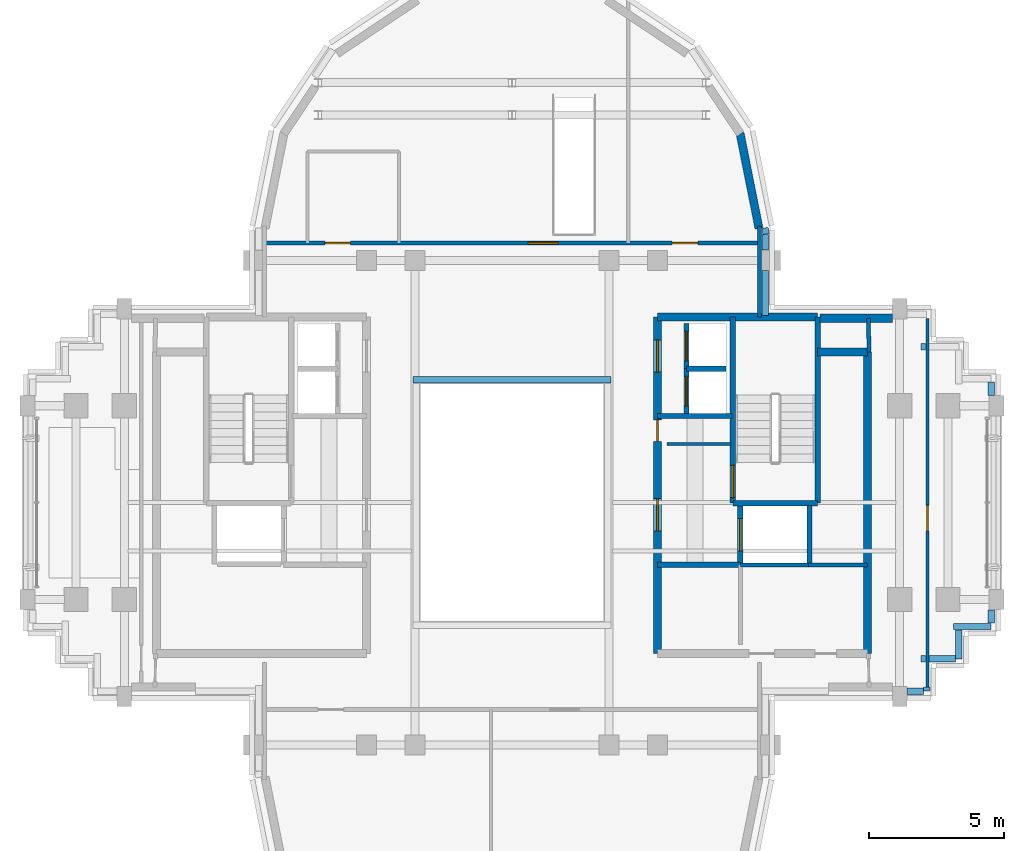
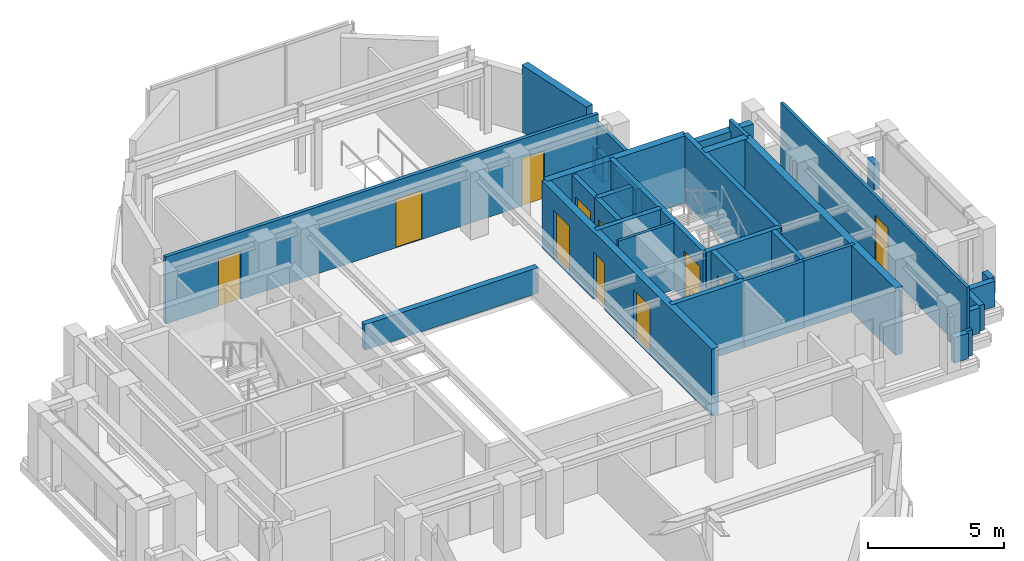
# One storey, part 9 of 12: 36 walls, 11 doors, 11 openings.
"""IFC4 building model written with IfcOpenShell, lengths in metres."""

from ifc_helpers import new_model, si_unit, direction, frame, frame_2d, origin, place, context, subcontext, project, spatial, rectangle, extrude, source, transform, mapped, material, layer, layer_set, type_object, element, fill, save


model = new_model("IFC4")

# Units and contexts
model_context = context("Model", 3, precision=1e-05, world=origin(), true_north=direction((0.0, 1.0)))
body_context = subcontext(model_context, "Body", "Model", "MODEL_VIEW")
ifc_project = project(units=[si_unit("LENGTHUNIT", "METRE"), si_unit("AREAUNIT", "SQUARE_METRE"), si_unit("VOLUMEUNIT", "CUBIC_METRE"), si_unit("PLANEANGLEUNIT", "RADIAN"), si_unit("MASSUNIT", "GRAM", prefix="KILO")], contexts=[model_context])

# Site, building, storey
site_placement = place(None, origin())
site = spatial("IfcSite", under=ifc_project, at=site_placement, CompositionType="ELEMENT")
building_placement = place(site_placement, origin())
building = spatial("IfcBuilding", under=site, at=building_placement, Name="Keilestroom Media Tower", CompositionType="ELEMENT")
storey_placement = place(building_placement, frame((0.0, 0.0, 233.199951171875)))
storey = spatial("IfcBuildingStorey", under=building, at=storey_placement, Name="L64", CompositionType="ELEMENT", Elevation=233.199951171875)

# Walls
ifc_material_1 = material(Name="Precast concrete C40/50", Category="concrete")
ifc_layer_1 = layer(ifc_material_1, 0.300048828125)
ifc_layer_set_1 = layer_set([ifc_layer_1], Name="Precast concrete C40/50")
wall_type_1 = type_object("IfcWallType", Name="Exterior-Masonry-Spandrel-Wall-300", PredefinedType="SOLIDWALL", material=ifc_layer_set_1)
wall_1_placement = place(storey_placement, frame((11.447998046875, 6.85009765625, 0.0), z_axis=(0.0, 0.0, 1.0), x_axis=(1.0, 0.0, 0.0)))
element("IfcWall", 1, at=wall_1_placement, inside=storey, type_object=wall_type_1, Name="L64 Flank Masonry Wall EWL-L64-NE-1", PredefinedType="SOLIDWALL", context=body_context, shape_type="SweptSolid", body=[
    extrude(rectangle(XDim=2.68505859375, YDim=0.300048828125, at=frame_2d((1.342529296875, 0.0))), origin(), (0.0, 0.0, 1.0), 2.570068359375),
])
wall_2_placement = place(storey_placement, frame((9.1748046875, 10.185302734375, 0.0), z_axis=(0.0, 0.0, 1.0), x_axis=(-0.195114232679, 0.980780523974, 0.0)))
element("IfcWall", 2, at=wall_2_placement, inside=storey, type_object=wall_type_1, Name="L64 Lobe Facet Precast Frame Wall 01", PredefinedType="SOLIDWALL", context=body_context, shape_type="SweptSolid", body=[
    extrude(rectangle(XDim=3.608642578125, YDim=0.300048828125, at=frame_2d((1.80419921875, 0.0))), origin(), (0.0, 0.0, 1.0), 3.010009765625),
])
ifc_material_2 = material(Name="Gypsum Plasterboard & Steel Stud", Category="steel")
ifc_layer_2 = layer(ifc_material_2, 0.1201171875)
ifc_layer_set_2 = layer_set([ifc_layer_2], Name="Gypsum Plasterboard & Steel Stud")
wall_type_2 = type_object("IfcWallType", Name="Interior-Partition-Wall-120", PredefinedType="PARTITIONING", material=ifc_layer_set_2)
wall_3_placement = place(storey_placement, frame((5.75, 2.179931640625, 0.0), z_axis=(0.0, 0.0, 1.0), x_axis=(1.0, 0.0, 0.0)))
element("IfcWall", 3, at=wall_3_placement, inside=storey, type_object=wall_type_2, Name="L64 Interior Wall WP-L64-CIE-S", PredefinedType="PARTITIONING", context=body_context, shape_type="SweptSolid", body=[
    extrude(rectangle(XDim=2.389892578125, YDim=0.1201171875, at=frame_2d((1.19482421875, 0.0))), origin(), (0.0, 0.0, 1.0), 3.010009765625),
])

# Wall, opening, door
wall_4_placement = place(storey_placement, frame((15.429931640625, -6.85009765625, 0.0), z_axis=(0.0, 0.0, 1.0), x_axis=(0.0, 1.0, 0.0)))
wall_4 = element("IfcWall", 4, at=wall_4_placement, inside=storey, type_object=wall_type_2, Name="L64 Interior Wall WP-L64-EA-V", PredefinedType="PARTITIONING", context=body_context, shape_type="SweptSolid", body=[
    extrude(rectangle(XDim=13.7001953125, YDim=0.1201171875, at=frame_2d((6.85009765625, 0.0))), origin(), (0.0, 0.0, 1.0), 3.010009765625),
])
opening_1_placement = place(wall_4_placement, frame((5.800048828125, 0.0, 0.0)))
opening_1 = element("IfcOpeningElement", 5, at=opening_1_placement, cuts=wall_4, Name="Opening DI-03", PredefinedType="OPENING", context=body_context, shape_type="SweptSolid", body=[
    extrude(rectangle(XDim=0.949951171875, YDim=2.14990234375, at=frame_2d((0.47509765625, 1.074951171875))), frame((0.0, 0.070068359375, 0.0), z_axis=(0.0, -1.0, 0.0), x_axis=(1.0, 0.0, 0.0)), (0.0, 0.0, 1.0), 0.14013671875),
])
ifc_material_3 = material(Name="Lacquered European Oak Leaf", Category="wood")
door_type_1 = type_object("IfcDoorType", Name="Interior-Room-And-Suite-Door-DI-03", OperationType="NOTDEFINED", PredefinedType="DOOR", material=ifc_material_3)
shared_shape_1 = source(origin(), body_context, "Body", "SweptSolid", [
    extrude(rectangle(XDim=0.949951171875, YDim=2.14990234375, at=frame_2d((0.47509765625, 1.074951171875))), frame((0.0, 0.02490234375, 0.0), z_axis=(0.0, -1.0, 0.0), x_axis=(1.0, 0.0, 0.0)), (0.0, 0.0, 1.0), 0.050048828125),
])
door_1_placement = place(opening_1_placement, origin())
door_1 = element("IfcDoor", 6, at=door_1_placement, inside=storey, type_object=door_type_1, Name="L64 Interior Door DI-L64-DEA-E", OperationType="SINGLE_SWING_RIGHT", OverallHeight=2.14990234375, OverallWidth=0.949951171875, PredefinedType="DOOR", context=body_context, shape_type="MappedRepresentation", body=[
    mapped(shared_shape_1, transform((0.0, 0.0, 0.0), x_axis=(1.0, 0.0, 0.0), y_axis=(0.0, 1.0, 0.0), z_axis=(0.0, 0.0, 1.0), scale=1.0)),
])
fill(opening_1, door_1)

# Walls
ifc_layer_3 = layer(ifc_material_2, 0.14990234375)
ifc_layer_set_3 = layer_set([ifc_layer_3], Name="Gypsum Plasterboard & Steel Stud")
wall_type_3 = type_object("IfcWallType", Name="Interior-Partition-Wall-150", PredefinedType="PARTITIONING", material=ifc_layer_set_3)
wall_5_placement = place(storey_placement, frame((11.02001953125, -2.320068359375, 0.0), z_axis=(0.0, 0.0, 1.0), x_axis=(1.0, 0.0, 0.0)))
element("IfcWall", 7, at=wall_5_placement, inside=storey, type_object=wall_type_3, Name="L64 Interior Wall WP-L64-RECLE-N", PredefinedType="PARTITIONING", context=body_context, shape_type="SweptSolid", body=[
    extrude(rectangle(XDim=2.179931640625, YDim=0.14990234375, at=frame_2d((1.08984375, 0.0))), origin(), (0.0, 0.0, 1.0), 3.010009765625),
])
wall_6_placement = place(storey_placement, frame((8.47998046875, -2.320068359375, 0.0), z_axis=(0.0, 0.0, 1.0), x_axis=(1.0, 0.0, 0.0)))
element("IfcWall", 8, at=wall_6_placement, inside=storey, type_object=wall_type_3, Name="L64 Interior Wall WP-L64-RECME-N", PredefinedType="PARTITIONING", context=body_context, shape_type="SweptSolid", body=[
    extrude(rectangle(XDim=2.56005859375, YDim=0.14990234375, at=frame_2d((1.280029296875, 0.0))), origin(), (0.0, 0.0, 1.0), 3.010009765625),
])

# Wall, openings, doors
wall_7_placement = place(storey_placement, frame((-9.199951171875, 9.639892578125, 0.0), z_axis=(0.0, 0.0, 1.0), x_axis=(1.0, 0.0, 0.0)))
wall_7 = element("IfcWall", 9, at=wall_7_placement, inside=storey, type_object=wall_type_3, Name="L64 Interior Wall WP-L64-NL-BASE", PredefinedType="PARTITIONING", context=body_context, shape_type="SweptSolid", body=[
    extrude(rectangle(XDim=18.39990234375, YDim=0.14990234375, at=frame_2d((9.199951171875, 0.0))), origin(), (0.0, 0.0, 1.0), 3.010009765625),
])
opening_2_placement = place(wall_7_placement, frame((2.25, 0.0, 0.0)))
opening_2 = element("IfcOpeningElement", 10, at=opening_2_placement, cuts=wall_7, Name="Opening DI-03", PredefinedType="OPENING", context=body_context, shape_type="SweptSolid", body=[
    extrude(rectangle(XDim=0.949951171875, YDim=2.14990234375, at=frame_2d((0.47509765625, 1.074951171875))), frame((0.0, 0.0849609375, 0.0), z_axis=(0.0, -1.0, 0.0), x_axis=(1.0, 0.0, 0.0)), (0.0, 0.0, 1.0), 0.169921875),
])
opening_3_placement = place(wall_7_placement, frame((9.800048828125, 0.0, 0.0)))
opening_3 = element("IfcOpeningElement", 11, at=opening_3_placement, cuts=wall_7, Name="Opening DI-04", PredefinedType="OPENING", context=body_context, shape_type="SweptSolid", body=[
    extrude(rectangle(XDim=1.10009765625, YDim=2.199951171875, at=frame_2d((0.550048828125, 1.10009765625))), frame((0.0, 0.0849609375, 0.0), z_axis=(0.0, -1.0, 0.0), x_axis=(1.0, 0.0, 0.0)), (0.0, 0.0, 1.0), 0.169921875),
])
opening_4_placement = place(wall_7_placement, frame((15.14990234375, 0.0, 0.0)))
opening_4 = element("IfcOpeningElement", 12, at=opening_4_placement, cuts=wall_7, Name="Opening DI-03", PredefinedType="OPENING", context=body_context, shape_type="SweptSolid", body=[
    extrude(rectangle(XDim=0.949951171875, YDim=2.14990234375, at=frame_2d((0.47509765625, 1.074951171875))), frame((0.0, 0.0849609375, 0.0), z_axis=(0.0, -1.0, 0.0), x_axis=(1.0, 0.0, 0.0)), (0.0, 0.0, 1.0), 0.169921875),
])
door_2_placement = place(opening_2_placement, origin())
door_2 = element("IfcDoor", 13, at=door_2_placement, inside=storey, type_object=door_type_1, Name="L64 Interior Door DI-L64-DNL-WC", OperationType="SINGLE_SWING_LEFT", OverallHeight=2.14990234375, OverallWidth=0.949951171875, PredefinedType="DOOR", context=body_context, shape_type="MappedRepresentation", body=[
    mapped(shared_shape_1, transform((0.0, 0.0, 0.0), x_axis=(1.0, 0.0, 0.0), y_axis=(0.0, 1.0, 0.0), z_axis=(0.0, 0.0, 1.0), scale=1.0)),
])
fill(opening_2, door_2)
door_3_placement = place(opening_4_placement, origin())
door_3 = element("IfcDoor", 14, at=door_3_placement, inside=storey, type_object=door_type_1, Name="L64 Interior Door DI-L64-DNL-B", OperationType="SINGLE_SWING_LEFT", OverallHeight=2.14990234375, OverallWidth=0.949951171875, PredefinedType="DOOR", context=body_context, shape_type="MappedRepresentation", body=[
    mapped(shared_shape_1, transform((0.0, 0.0, 0.0), x_axis=(1.0, 0.0, 0.0), y_axis=(0.0, 1.0, 0.0), z_axis=(0.0, 0.0, 1.0), scale=1.0)),
])
fill(opening_4, door_3)
ifc_material_4 = material(Name="Acoustic Glazed Aluminium Leaf", Category="aluminium")
door_type_2 = type_object("IfcDoorType", Name="Interior-Room-And-Suite-Door-DI-04", OperationType="NOTDEFINED", PredefinedType="DOOR", material=ifc_material_4)
shared_shape_2 = source(origin(), body_context, "Body", "SweptSolid", [
    extrude(rectangle(XDim=1.10009765625, YDim=2.199951171875, at=frame_2d((0.550048828125, 1.10009765625))), frame((0.0, 0.02490234375, 0.0), z_axis=(0.0, -1.0, 0.0), x_axis=(1.0, 0.0, 0.0)), (0.0, 0.0, 1.0), 0.050048828125),
])
door_4_placement = place(opening_3_placement, origin())
door_4 = element("IfcDoor", 15, at=door_4_placement, inside=storey, type_object=door_type_2, Name="L64 Interior Door DI-L64-DNL-A", OperationType="SINGLE_SWING_RIGHT", OverallHeight=2.199951171875, OverallWidth=1.10009765625, PredefinedType="DOOR", context=body_context, shape_type="MappedRepresentation", body=[
    mapped(shared_shape_2, transform((0.0, 0.0, 0.0), x_axis=(1.0, 0.0, 0.0), y_axis=(0.0, 1.0, 0.0), z_axis=(0.0, 0.0, 1.0), scale=1.0)),
])
fill(opening_3, door_4)

# Walls
wall_8_placement = place(storey_placement, frame((9.199951171875, 6.89990234375, 0.0), z_axis=(0.0, 0.0, 1.0), x_axis=(0.0, 1.0, 0.0)))
element("IfcWall", 16, at=wall_8_placement, inside=storey, type_object=wall_type_3, Name="L64 Interior Wall WP-L64-NL-CHKE", PredefinedType="PARTITIONING", context=body_context, shape_type="SweptSolid", body=[
    extrude(rectangle(XDim=3.380126953125, YDim=0.14990234375, at=frame_2d((1.68994140625, 0.0))), origin(), (0.0, 0.0, 1.0), 2.610107421875),
])
wall_9_placement = place(storey_placement, frame((13.260009765625, 5.60009765625, 0.0), z_axis=(0.0, 0.0, 1.0), x_axis=(-0.016013571389, 0.999871774545, 0.0)))
element("IfcWall", 17, at=wall_9_placement, inside=storey, type_object=wall_type_3, Name="L64 Interior Wall WP-L64-EA-ENTN", PredefinedType="PARTITIONING", context=body_context, shape_type="SweptSolid", body=[
    extrude(rectangle(XDim=1.250244140625, YDim=0.14990234375, at=frame_2d((0.625, 0.0))), origin(), (0.0, 0.0, 1.0), 3.010009765625),
])
ifc_material_5 = material(Name="Concrete C50/60", Category="concrete")
ifc_layer_4 = layer(ifc_material_5, 0.300048828125)
ifc_layer_set_4 = layer_set([ifc_layer_4], Name="Concrete C50/60")
wall_type_4 = type_object("IfcWallType", Name="Reinforced-Concrete-Core-Shear-Wall-300", PredefinedType="SHEAR", material=ifc_layer_set_4)
wall_10_placement = place(storey_placement, frame((13.199951171875, -5.60009765625, 0.0), z_axis=(0.0, 0.0, 1.0), x_axis=(0.0, 1.0, 0.0)))
element("IfcWall", 18, at=wall_10_placement, inside=storey, type_object=wall_type_4, Name="L64 Core Shear Wall WL-L64-CORE-E-OUT", PredefinedType="SHEAR", context=body_context, shape_type="SweptSolid", body=[
    extrude(rectangle(XDim=11.2001953125, YDim=0.300048828125, at=frame_2d((5.60009765625, 0.0))), origin(), (0.0, 0.0, 1.0), 3.010009765625),
])

# Wall, openings, doors
wall_11_placement = place(storey_placement, frame((5.39990234375, -5.60009765625, 0.0), z_axis=(0.0, 0.0, 1.0), x_axis=(0.0, 1.0, 0.0)))
wall_11 = element("IfcWall", 19, at=wall_11_placement, inside=storey, type_object=wall_type_4, Name="L64 Core Shear Wall WL-L64-CORE-E-IN", PredefinedType="SHEAR", context=body_context, shape_type="SweptSolid", body=[
    extrude(rectangle(XDim=12.5, YDim=0.300048828125, at=frame_2d((6.25, 0.0))), origin(), (0.0, 0.0, 1.0), 3.010009765625),
])
opening_5_placement = place(wall_11_placement, frame((4.550048828125, 0.0, 0.0)))
opening_5 = element("IfcOpeningElement", 20, at=opening_5_placement, cuts=wall_11, Name="Opening DI-02", PredefinedType="OPENING", context=body_context, shape_type="SweptSolid", body=[
    extrude(rectangle(XDim=1.199951171875, YDim=2.199951171875, at=frame_2d((0.60009765625, 1.10009765625))), frame((0.0, 0.16015625, 0.0), z_axis=(0.0, -1.0, 0.0), x_axis=(1.0, 0.0, 0.0)), (0.0, 0.0, 1.0), 0.320068359375),
])
opening_6_placement = place(wall_11_placement, frame((10.449951171875, 0.0, 0.0)))
opening_6 = element("IfcOpeningElement", 21, at=opening_6_placement, cuts=wall_11, Name="Opening DI-02", PredefinedType="OPENING", context=body_context, shape_type="SweptSolid", body=[
    extrude(rectangle(XDim=1.199951171875, YDim=2.199951171875, at=frame_2d((0.60009765625, 1.10009765625))), frame((0.0, 0.16015625, 0.0), z_axis=(0.0, -1.0, 0.0), x_axis=(1.0, 0.0, 0.0)), (0.0, 0.0, 1.0), 0.320068359375),
])
opening_7_placement = place(wall_11_placement, frame((7.8798828125, 0.0, 0.0)))
opening_7 = element("IfcOpeningElement", 22, at=opening_7_placement, cuts=wall_11, Name="Opening DI-06", PredefinedType="OPENING", context=body_context, shape_type="SweptSolid", body=[
    extrude(rectangle(XDim=0.800048828125, YDim=2.10009765625, at=frame_2d((0.39990234375, 1.050048828125))), frame((0.0, 0.16015625, 0.0), z_axis=(0.0, -1.0, 0.0), x_axis=(1.0, 0.0, 0.0)), (0.0, 0.0, 1.0), 0.320068359375),
])
ifc_material_6 = material(Name="Powder-Coated Steel Fire Leaf", Category="steel")
door_type_3 = type_object("IfcDoorType", Name="Interior-Compartment-Fire-Door-DI-02", OperationType="NOTDEFINED", PredefinedType="DOOR", material=ifc_material_6)
shared_shape_3 = source(origin(), body_context, "Body", "SweptSolid", [
    extrude(rectangle(XDim=1.199951171875, YDim=2.199951171875, at=frame_2d((0.60009765625, 1.10009765625))), frame((0.0, 0.02490234375, 0.0), z_axis=(0.0, -1.0, 0.0), x_axis=(1.0, 0.0, 0.0)), (0.0, 0.0, 1.0), 0.050048828125),
])
door_5_placement = place(opening_5_placement, origin())
door_5 = element("IfcDoor", 23, at=door_5_placement, inside=storey, type_object=door_type_3, Name="L64 E Firefighting Lobby Door", OperationType="SINGLE_SWING_LEFT", OverallHeight=2.199951171875, OverallWidth=1.199951171875, PredefinedType="DOOR", context=body_context, shape_type="MappedRepresentation", body=[
    mapped(shared_shape_3, transform((0.0, 0.0, 0.0), x_axis=(1.0, 0.0, 0.0), y_axis=(0.0, 1.0, 0.0), z_axis=(0.0, 0.0, 1.0), scale=1.0)),
])
fill(opening_5, door_5)
door_6_placement = place(opening_6_placement, origin())
door_6 = element("IfcDoor", 24, at=door_6_placement, inside=storey, type_object=door_type_3, Name="L64 E High-Rise Lift Lobby Door", OperationType="SINGLE_SWING_RIGHT", OverallHeight=2.199951171875, OverallWidth=1.199951171875, PredefinedType="DOOR", context=body_context, shape_type="MappedRepresentation", body=[
    mapped(shared_shape_3, transform((0.0, 0.0, 0.0), x_axis=(1.0, 0.0, 0.0), y_axis=(0.0, 1.0, 0.0), z_axis=(0.0, 0.0, 1.0), scale=1.0)),
])
fill(opening_6, door_6)
ifc_material_7 = material(Name="Powder-Coated Steel Service Leaf", Category="steel")
door_type_4 = type_object("IfcDoorType", Name="Interior-Riser-Access-Door-DI-06", OperationType="NOTDEFINED", PredefinedType="DOOR", material=ifc_material_7)
shared_shape_4 = source(origin(), body_context, "Body", "SweptSolid", [
    extrude(rectangle(XDim=0.800048828125, YDim=2.10009765625, at=frame_2d((0.39990234375, 1.050048828125))), frame((0.0, 0.02490234375, 0.0), z_axis=(0.0, -1.0, 0.0), x_axis=(1.0, 0.0, 0.0)), (0.0, 0.0, 1.0), 0.050048828125),
])
door_7_placement = place(opening_7_placement, origin())
door_7 = element("IfcDoor", 25, at=door_7_placement, inside=storey, type_object=door_type_4, Name="L64 East Core Closet Door", OperationType="SINGLE_SWING_RIGHT", OverallHeight=2.10009765625, OverallWidth=0.800048828125, PredefinedType="DOOR", context=body_context, shape_type="MappedRepresentation", body=[
    mapped(shared_shape_4, transform((0.0, 0.0, 0.0), x_axis=(1.0, 0.0, 0.0), y_axis=(0.0, 1.0, 0.0), z_axis=(0.0, 0.0, 1.0), scale=1.0)),
])
fill(opening_7, door_7)

# Walls
wall_12_placement = place(storey_placement, frame((5.39990234375, 6.89990234375, 0.0), z_axis=(0.0, 0.0, 1.0), x_axis=(1.0, 0.0, 0.0)))
element("IfcWall", 26, at=wall_12_placement, inside=storey, type_object=wall_type_4, Name="L64 Core Shear Wall WL-L64-CORE-E-N", PredefinedType="SHEAR", context=body_context, shape_type="SweptSolid", body=[
    extrude(rectangle(XDim=5.9560546875, YDim=0.300048828125, at=frame_2d((2.97802734375, 0.0))), origin(), (0.0, 0.0, 1.0), 3.010009765625),
])
wall_13_placement = place(storey_placement, frame((11.35595703125, 5.60009765625, 0.0), z_axis=(0.0, 0.0, 1.0), x_axis=(1.0, 0.0, 0.0)))
element("IfcWall", 27, at=wall_13_placement, inside=storey, type_object=wall_type_4, Name="L64 Core Shear Wall WL-L64-CNE-N", PredefinedType="SHEAR", context=body_context, shape_type="SweptSolid", body=[
    extrude(rectangle(XDim=1.843994140625, YDim=0.300048828125, at=frame_2d((0.921875, 0.0))), origin(), (0.0, 0.0, 1.0), 3.010009765625),
])
ifc_layer_5 = layer(ifc_material_5, 0.199951171875)
ifc_layer_set_5 = layer_set([ifc_layer_5], Name="Concrete C50/60")
wall_type_5 = type_object("IfcWallType", Name="Reinforced-Concrete-Shaft-Wall-200", PredefinedType="SOLIDWALL", material=ifc_layer_set_5)
wall_14_placement = place(storey_placement, frame((5.39990234375, 3.219970703125, 0.0), z_axis=(0.0, 0.0, 1.0), x_axis=(1.0, 0.0, 0.0)))
element("IfcWall", 28, at=wall_14_placement, inside=storey, type_object=wall_type_5, Name="L64 Core Shear Wall WL-L64-CORE-E-FFN", PredefinedType="SOLIDWALL", context=body_context, shape_type="SweptSolid", body=[
    extrude(rectangle(XDim=2.780029296875, YDim=0.199951171875, at=frame_2d((1.39013671875, 0.0))), origin(), (0.0, 0.0, 1.0), 3.010009765625),
])
wall_15_placement = place(storey_placement, frame((5.39990234375, -2.300048828125, 0.0), z_axis=(0.0, 0.0, 1.0), x_axis=(1.0, 0.0, 0.0)))
element("IfcWall", 29, at=wall_15_placement, inside=storey, type_object=wall_type_5, Name="L64 Core Shear Wall WL-L64-CORE-E-FFS", PredefinedType="SOLIDWALL", context=body_context, shape_type="SweptSolid", body=[
    extrude(rectangle(XDim=3.080078125, YDim=0.199951171875, at=frame_2d((1.5400390625, 0.0))), origin(), (0.0, 0.0, 1.0), 3.010009765625),
])

# Wall, opening, door
wall_16_placement = place(storey_placement, frame((8.2041015625, -0.01611328125, 0.0), z_axis=(0.0, 0.0, 1.0), x_axis=(0.0, 1.0, 0.0)))
wall_16 = element("IfcWall", 30, at=wall_16_placement, inside=storey, type_object=wall_type_5, Name="L64 Core Shear Wall WL-L64-STW-E-NEAR", PredefinedType="SOLIDWALL", context=body_context, shape_type="SweptSolid", body=[
    extrude(rectangle(XDim=6.916015625, YDim=0.199951171875, at=frame_2d((3.4580078125, 0.0))), origin(), (0.0, 0.0, 1.0), 3.010009765625),
])
opening_8_placement = place(wall_16_placement, frame((0.199951171875, 0.0, 0.0)))
opening_8 = element("IfcOpeningElement", 31, at=opening_8_placement, cuts=wall_16, Name="Opening DI-01S", PredefinedType="OPENING", context=body_context, shape_type="SweptSolid", body=[
    extrude(rectangle(XDim=1.199951171875, YDim=2.199951171875, at=frame_2d((0.60009765625, 1.10009765625))), frame((0.0, 0.10986328125, 0.0), z_axis=(0.0, -1.0, 0.0), x_axis=(1.0, 0.0, 0.0)), (0.0, 0.0, 1.0), 0.219970703125),
])
door_type_5 = type_object("IfcDoorType", Name="Interior-Stair-And-Core-Fire-Door-DI-01", OperationType="NOTDEFINED", PredefinedType="DOOR", material=ifc_material_6)
door_8_placement = place(opening_8_placement, origin())
door_8 = element("IfcDoor", 32, at=door_8_placement, inside=storey, type_object=door_type_5, Name="L64 Escape Stair ST-2 Fire Door", OperationType="SINGLE_SWING_RIGHT", OverallHeight=2.199951171875, OverallWidth=1.199951171875, PredefinedType="DOOR", context=body_context, shape_type="MappedRepresentation", body=[
    mapped(shared_shape_3, transform((0.0, 0.0, 0.0), x_axis=(1.0, 0.0, 0.0), y_axis=(0.0, 1.0, 0.0), z_axis=(0.0, 0.0, 1.0), scale=1.0)),
])
fill(opening_8, door_8)

# Walls
wall_17_placement = place(storey_placement, frame((11.35595703125, -0.01611328125, 0.0), z_axis=(0.0, 0.0, 1.0), x_axis=(0.0, 1.0, 0.0)))
element("IfcWall", 33, at=wall_17_placement, inside=storey, type_object=wall_type_5, Name="L64 Core Shear Wall WL-L64-STW-E-FAR", PredefinedType="SOLIDWALL", context=body_context, shape_type="SweptSolid", body=[
    extrude(rectangle(XDim=6.916015625, YDim=0.199951171875, at=frame_2d((3.4580078125, 0.0))), origin(), (0.0, 0.0, 1.0), 3.010009765625),
])
wall_18_placement = place(storey_placement, frame((8.2041015625, -0.01611328125, 0.0), z_axis=(0.0, 0.0, 1.0), x_axis=(1.0, 0.0, 0.0)))
element("IfcWall", 34, at=wall_18_placement, inside=storey, type_object=wall_type_5, Name="L64 Core Shear Wall WL-L64-STW-E-S", PredefinedType="SOLIDWALL", context=body_context, shape_type="SweptSolid", body=[
    extrude(rectangle(XDim=3.15185546875, YDim=0.199951171875, at=frame_2d((1.575927734375, 0.0))), origin(), (0.0, 0.0, 1.0), 3.010009765625),
])

# Wall, opening, door
wall_19_placement = place(storey_placement, frame((8.47998046875, -2.280029296875, 0.0), z_axis=(0.0, 0.0, 1.0), x_axis=(0.0, 1.0, 0.0)))
wall_19 = element("IfcWall", 35, at=wall_19_placement, inside=storey, type_object=wall_type_5, Name="L64 Core Shear Wall WL-L64-LSH-FFL-2-W", PredefinedType="SOLIDWALL", context=body_context, shape_type="SweptSolid", body=[
    extrude(rectangle(XDim=2.179931640625, YDim=0.199951171875, at=frame_2d((1.08984375, 0.0))), origin(), (0.0, 0.0, 1.0), 3.010009765625),
])
opening_9_placement = place(wall_19_placement, frame((0.489990234375, 0.0, 0.0)))
opening_9 = element("IfcOpeningElement", 36, at=opening_9_placement, cuts=wall_19, Name="Opening LD-02", PredefinedType="OPENING", context=body_context, shape_type="SweptSolid", body=[
    extrude(rectangle(XDim=1.199951171875, YDim=2.199951171875, at=frame_2d((0.60009765625, 1.10009765625))), frame((0.0, 0.10986328125, 0.0), z_axis=(0.0, -1.0, 0.0), x_axis=(1.0, 0.0, 0.0)), (0.0, 0.0, 1.0), 0.219970703125),
])
ifc_material_8 = material(Name="Brushed Stainless Steel Sliding Leaf", Category="steel")
door_type_6 = type_object("IfcDoorType", Name="Lift-Landing-Sliding-Door-LD-02", OperationType="SLIDING_TO_RIGHT", PredefinedType="DOOR", material=ifc_material_8)
door_9_placement = place(opening_9_placement, origin())
door_9 = element("IfcDoor", 37, at=door_9_placement, inside=storey, type_object=door_type_6, Name="L64 Lift FFL-2 Landing Sliding Door", OperationType="SLIDING_TO_RIGHT", OverallHeight=2.199951171875, OverallWidth=1.199951171875, PredefinedType="DOOR", context=body_context, shape_type="MappedRepresentation", body=[
    mapped(shared_shape_3, transform((0.0, 0.0, 0.0), x_axis=(1.0, 0.0, 0.0), y_axis=(0.0, 1.0, 0.0), z_axis=(0.0, 0.0, 1.0), scale=1.0)),
])
fill(opening_9, door_9)

# Wall
wall_20_placement = place(storey_placement, frame((11.050048828125, -2.280029296875, 0.0), z_axis=(0.0, 0.0, 1.0), x_axis=(0.0, 1.0, 0.0)))
element("IfcWall", 38, at=wall_20_placement, inside=storey, type_object=wall_type_5, Name="L64 Core Shear Wall WL-L64-LSH-FFL-2-E", PredefinedType="SOLIDWALL", context=body_context, shape_type="SweptSolid", body=[
    extrude(rectangle(XDim=2.179931640625, YDim=0.199951171875, at=frame_2d((1.08984375, 0.0))), origin(), (0.0, 0.0, 1.0), 3.010009765625),
])

# Wall, opening, door
wall_21_placement = place(storey_placement, frame((6.47998046875, 3.300048828125, 0.0), z_axis=(0.0, 0.0, 1.0), x_axis=(0.0, 1.0, 0.0)))
wall_21 = element("IfcWall", 39, at=wall_21_placement, inside=storey, type_object=wall_type_5, Name="L64 Core Shear Wall WL-L64-LSH-PL-H3-W", PredefinedType="SOLIDWALL", context=body_context, shape_type="SweptSolid", body=[
    extrude(rectangle(XDim=1.679931640625, YDim=0.199951171875, at=frame_2d((0.83984375, 0.0))), origin(), (0.0, 0.0, 1.0), 3.010009765625),
])
opening_10_placement = place(wall_21_placement, frame((0.2900390625, 0.0, 0.0)))
opening_10 = element("IfcOpeningElement", 40, at=opening_10_placement, cuts=wall_21, Name="Opening LD-01", PredefinedType="OPENING", context=body_context, shape_type="SweptSolid", body=[
    extrude(rectangle(XDim=1.10009765625, YDim=2.199951171875, at=frame_2d((0.550048828125, 1.10009765625))), frame((0.0, 0.10986328125, 0.0), z_axis=(0.0, -1.0, 0.0), x_axis=(1.0, 0.0, 0.0)), (0.0, 0.0, 1.0), 0.219970703125),
])
door_type_7 = type_object("IfcDoorType", Name="Lift-Landing-Sliding-Door-LD-01", OperationType="SLIDING_TO_LEFT", PredefinedType="DOOR", material=ifc_material_8)
door_10_placement = place(opening_10_placement, origin())
door_10 = element("IfcDoor", 41, at=door_10_placement, inside=storey, type_object=door_type_7, Name="L64 Lift PL-H3 Landing Sliding Door", OperationType="SLIDING_TO_LEFT", OverallHeight=2.199951171875, OverallWidth=1.10009765625, PredefinedType="DOOR", context=body_context, shape_type="MappedRepresentation", body=[
    mapped(shared_shape_2, transform((0.0, 0.0, 0.0), x_axis=(1.0, 0.0, 0.0), y_axis=(0.0, 1.0, 0.0), z_axis=(0.0, 0.0, 1.0), scale=1.0)),
])
fill(opening_10, door_10)

# Wall
wall_22_placement = place(storey_placement, frame((6.47998046875, 4.97998046875, 0.0), z_axis=(0.0, 0.0, 1.0), x_axis=(1.0, 0.0, 0.0)))
element("IfcWall", 42, at=wall_22_placement, inside=storey, type_object=wall_type_5, Name="L64 Core Shear Wall WL-L64-LSH-PL-H3-N", PredefinedType="SOLIDWALL", context=body_context, shape_type="SweptSolid", body=[
    extrude(rectangle(XDim=1.469970703125, YDim=0.199951171875, at=frame_2d((0.73486328125, 0.0))), origin(), (0.0, 0.0, 1.0), 3.010009765625),
])

# Wall, opening, door
wall_23_placement = place(storey_placement, frame((6.47998046875, 4.97998046875, 0.0), z_axis=(0.0, 0.0, 1.0), x_axis=(0.0, 1.0, 0.0)))
wall_23 = element("IfcWall", 43, at=wall_23_placement, inside=storey, type_object=wall_type_5, Name="L64 Core Shear Wall WL-L64-LSH-PL-H4-W", PredefinedType="SOLIDWALL", context=body_context, shape_type="SweptSolid", body=[
    extrude(rectangle(XDim=1.669921875, YDim=0.199951171875, at=frame_2d((0.8349609375, 0.0))), origin(), (0.0, 0.0, 1.0), 3.010009765625),
])
opening_11_placement = place(wall_23_placement, frame((0.284912109375, 0.0, 0.0)))
opening_11 = element("IfcOpeningElement", 44, at=opening_11_placement, cuts=wall_23, Name="Opening LD-01", PredefinedType="OPENING", context=body_context, shape_type="SweptSolid", body=[
    extrude(rectangle(XDim=1.10009765625, YDim=2.199951171875, at=frame_2d((0.550048828125, 1.10009765625))), frame((0.0, 0.10986328125, 0.0), z_axis=(0.0, -1.0, 0.0), x_axis=(1.0, 0.0, 0.0)), (0.0, 0.0, 1.0), 0.219970703125),
])
door_11_placement = place(opening_11_placement, origin())
door_11 = element("IfcDoor", 45, at=door_11_placement, inside=storey, type_object=door_type_7, Name="L64 Lift PL-H4 Landing Sliding Door", OperationType="SLIDING_TO_LEFT", OverallHeight=2.199951171875, OverallWidth=1.10009765625, PredefinedType="DOOR", context=body_context, shape_type="MappedRepresentation", body=[
    mapped(shared_shape_2, transform((0.0, 0.0, 0.0), x_axis=(1.0, 0.0, 0.0), y_axis=(0.0, 1.0, 0.0), z_axis=(0.0, 0.0, 1.0), scale=1.0)),
])
fill(opening_11, door_11)

# Walls
ifc_layer_6 = layer(ifc_material_1, 0.239990234375)
ifc_layer_set_6 = layer_set([ifc_layer_6], Name="Precast concrete C40/50")
wall_type_6 = type_object("IfcWallType", Name="Roof-And-Terrace-Parapet-Wall-240", PredefinedType="PARAPET", material=ifc_layer_set_6)
wall_24_placement = place(storey_placement, frame((17.800048828125, -4.60009765625, 0.0), z_axis=(0.0, 0.0, 1.0), x_axis=(-1.0, 0.0, 0.0)))
element("IfcWall", 46, at=wall_24_placement, inside=storey, type_object=wall_type_6, Name="L64 Perimeter Edge Parapet Wall 01", PredefinedType="PARAPET", context=body_context, shape_type="SweptSolid", body=[
    extrude(rectangle(XDim=1.400146484375, YDim=0.239990234375, at=frame_2d((0.7001953125, 0.0))), origin(), (0.0, 0.0, 1.0), 1.150146484375),
])
wall_25_placement = place(storey_placement, frame((16.60009765625, -4.722900390625, 0.0), z_axis=(0.0, 0.0, 1.0), x_axis=(0.0, -1.0, 0.0)))
element("IfcWall", 47, at=wall_25_placement, inside=storey, type_object=wall_type_6, Name="L64 Perimeter Edge Parapet Wall 02", PredefinedType="PARAPET", context=body_context, shape_type="SweptSolid", body=[
    extrude(rectangle(XDim=1.0771484375, YDim=0.239990234375, at=frame_2d((0.53857421875, 0.0))), origin(), (0.0, 0.0, 1.0), 1.150146484375),
])
wall_26_placement = place(storey_placement, frame((16.47705078125, -5.800048828125, 0.0), z_axis=(0.0, 0.0, 1.0), x_axis=(-1.0, 0.0, 0.0)))
element("IfcWall", 48, at=wall_26_placement, inside=storey, type_object=wall_type_6, Name="L64 Perimeter Edge Parapet Wall 03", PredefinedType="PARAPET", context=body_context, shape_type="SweptSolid", body=[
    extrude(rectangle(XDim=0.984130859375, YDim=0.239990234375, at=frame_2d((0.4921875, 0.0))), origin(), (0.0, 0.0, 1.0), 1.150146484375),
])
wall_27_placement = place(storey_placement, frame((15.366943359375, -5.800048828125, 0.0), z_axis=(0.0, 0.0, 1.0), x_axis=(-1.0, 0.0, 0.0)))
element("IfcWall", 49, at=wall_27_placement, inside=storey, type_object=wall_type_6, Name="L64 Perimeter Edge Parapet Wall 04", PredefinedType="PARAPET", context=body_context, shape_type="SweptSolid", body=[
    extrude(rectangle(XDim=0.1669921875, YDim=0.239990234375, at=frame_2d((0.08349609375, 0.0))), origin(), (0.0, 0.0, 1.0), 1.150146484375),
])
wall_28_placement = place(storey_placement, frame((15.39990234375, -6.85302734375, 0.0), z_axis=(0.0, 0.0, 1.0), x_axis=(0.0, -1.0, 0.0)))
element("IfcWall", 50, at=wall_28_placement, inside=storey, type_object=wall_type_6, Name="L64 Perimeter Edge Parapet Wall 05", PredefinedType="PARAPET", context=body_context, shape_type="SweptSolid", body=[
    extrude(rectangle(XDim=0.14697265625, YDim=0.239990234375, at=frame_2d((0.073486328125, 0.0))), origin(), (0.0, 0.0, 1.0), 1.150146484375),
])
wall_29_placement = place(storey_placement, frame((15.277099609375, -7.0, 0.0), z_axis=(0.0, 0.0, 1.0), x_axis=(-1.0, 0.0, 0.0)))
element("IfcWall", 51, at=wall_29_placement, inside=storey, type_object=wall_type_6, Name="L64 Perimeter Edge Parapet Wall 06", PredefinedType="PARAPET", context=body_context, shape_type="SweptSolid", body=[
    extrude(rectangle(XDim=0.59912109375, YDim=0.239990234375, at=frame_2d((0.299560546875, 0.0))), origin(), (0.0, 0.0, 1.0), 1.150146484375),
])
wall_30_placement = place(storey_placement, frame((9.395263671875, 10.2041015625, 0.0), z_axis=(0.0, 0.0, 1.0), x_axis=(0.194859894132, -0.980831087221, 0.0)))
element("IfcWall", 52, at=wall_30_placement, inside=storey, type_object=wall_type_6, Name="L64 Perimeter Edge Parapet Wall 30", PredefinedType="PARAPET", context=body_context, shape_type="SweptSolid", body=[
    extrude(rectangle(XDim=0.224365234375, YDim=0.239990234375, at=frame_2d((0.1123046875, 0.0))), origin(), (0.0, 0.0, 1.0), 1.150146484375),
])
wall_31_placement = place(storey_placement, frame((9.39990234375, 9.957763671875, 0.0), z_axis=(0.0, 0.0, 1.0), x_axis=(0.0, -1.0, 0.0)))
element("IfcWall", 53, at=wall_31_placement, inside=storey, type_object=wall_type_6, Name="L64 Perimeter Edge Parapet Wall 31", PredefinedType="PARAPET", context=body_context, shape_type="SweptSolid", body=[
    extrude(rectangle(XDim=0.579833984375, YDim=0.239990234375, at=frame_2d((0.2900390625, 0.0))), origin(), (0.0, 0.0, 1.0), 1.150146484375),
])
wall_32_placement = place(storey_placement, frame((9.39990234375, 8.6220703125, 0.0), z_axis=(0.0, 0.0, 1.0), x_axis=(0.0, -1.0, 0.0)))
element("IfcWall", 54, at=wall_32_placement, inside=storey, type_object=wall_type_6, Name="L64 Perimeter Edge Parapet Wall 32", PredefinedType="PARAPET", context=body_context, shape_type="SweptSolid", body=[
    extrude(rectangle(XDim=1.669189453125, YDim=0.239990234375, at=frame_2d((0.83447265625, 0.0))), origin(), (0.0, 0.0, 1.0), 1.150146484375),
])
wall_33_placement = place(storey_placement, frame((15.199951171875, 5.800048828125, 0.0), z_axis=(0.0, 0.0, 1.0), x_axis=(1.0, 0.0, 0.0)))
element("IfcWall", 55, at=wall_33_placement, inside=storey, type_object=wall_type_6, Name="L64 Perimeter Edge Parapet Wall 34", PredefinedType="PARAPET", context=body_context, shape_type="SweptSolid", body=[
    extrude(rectangle(XDim=0.1669921875, YDim=0.239990234375, at=frame_2d((0.08349609375, 0.0))), origin(), (0.0, 0.0, 1.0), 1.150146484375),
])
for number, where, z_axis, x_axis, name in (
    (56, (17.800048828125, 4.47705078125, 0.0), (0.0, 0.0, 1.0), (0.0, -1.0, 0.0), "L64 Perimeter Edge Parapet Wall 38"),
    (57, (17.800048828125, -3.97802734375, 0.0), (0.0, 0.0, 1.0), (0.0, -1.0, 0.0), "L64 Perimeter Edge Parapet Wall 39"),
):
    element("IfcWall", number, at=place(storey_placement, frame(where, z_axis=z_axis, x_axis=x_axis)), inside=storey, type_object=wall_type_6, Name=name, PredefinedType="PARAPET", context=body_context, shape_type="SweptSolid", body=[
        extrude(rectangle(XDim=0.4990234375, YDim=0.239990234375, at=frame_2d((0.24951171875, 0.0))), origin(), (0.0, 0.0, 1.0), 1.150146484375),
    ])
wall_34_placement = place(storey_placement, frame((-3.679931640625, 4.56005859375, 0.0), z_axis=(0.0, 0.0, 1.0), x_axis=(1.0, 0.0, 0.0)))
element("IfcWall", 58, at=wall_34_placement, inside=storey, type_object=wall_type_6, Name="L64 Central Atrium Guard Parapet N", PredefinedType="PARAPET", context=body_context, shape_type="SweptSolid", body=[
    extrude(rectangle(XDim=7.35986328125, YDim=0.239990234375, at=frame_2d((3.679931640625, 0.0))), origin(), (0.0, 0.0, 1.0), 1.150146484375),
])

save(model, "model.ifc")
